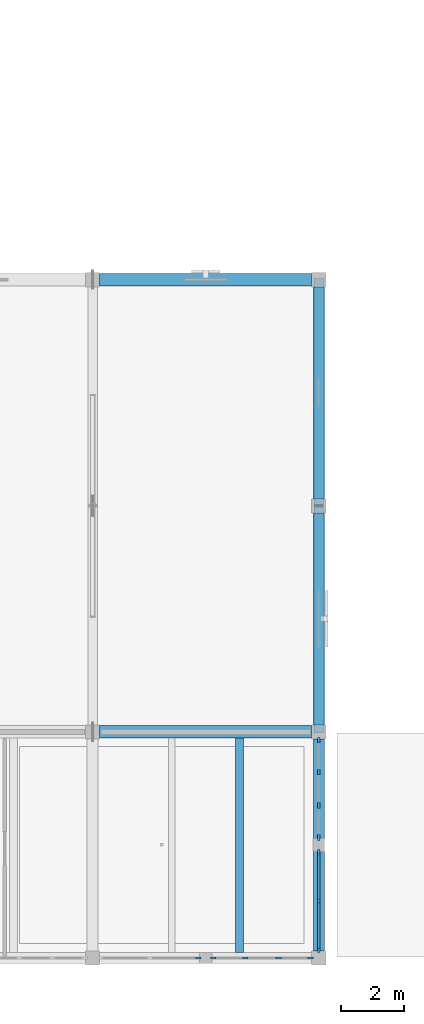
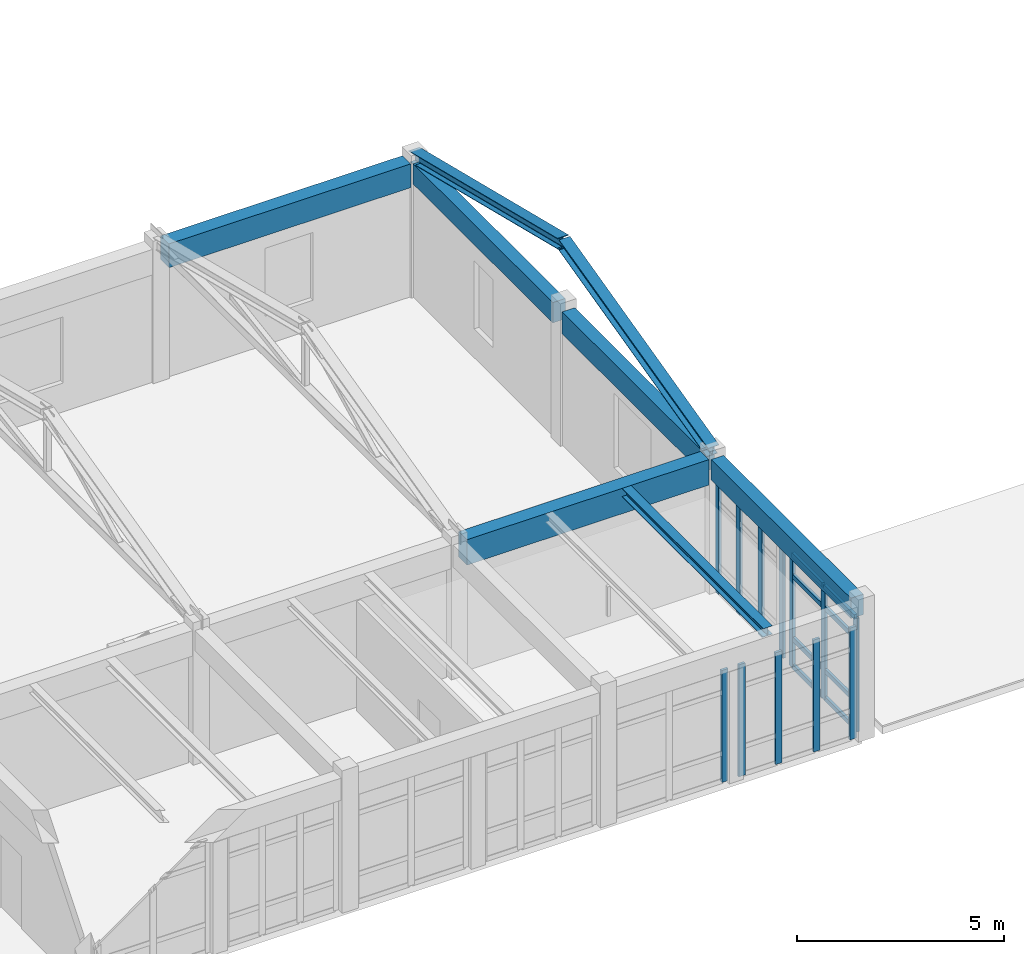
# One storey, part 11 of 136: 22 members, 6 beams, 4 elements without a shape of their own.
"""IFC4 building model written with IfcOpenShell, lengths in metres."""

from ifc_helpers import new_model, si_unit, direction, frame, origin, origin_2d, place, context, subcontext, project, spatial, rectangle, i_section, extrude, material, layer, layer_set, material_profile, profile_set, type_object, element, aggregate, save


model = new_model("IFC4")

# Units and contexts
model_context = context("Model", 3, precision=1e-05, world=origin(), true_north=direction((0.0, 1.0)))
body_context = subcontext(model_context, "Body", "Model", "MODEL_VIEW")
ifc_project = project(units=[si_unit("LENGTHUNIT", "METRE"), si_unit("AREAUNIT", "SQUARE_METRE"), si_unit("VOLUMEUNIT", "CUBIC_METRE"), si_unit("PLANEANGLEUNIT", "RADIAN"), si_unit("MASSUNIT", "GRAM", prefix="KILO")], contexts=[model_context])

# Site, building, storey
site_placement = place(None, origin())
site = spatial("IfcSite", under=ifc_project, at=site_placement, CompositionType="ELEMENT")
building_placement = place(site_placement, origin())
building = spatial("IfcBuilding", under=site, at=building_placement, Name="Koriwan Promenade Central Fire Station", CompositionType="ELEMENT")
storey_placement = place(building_placement, frame((0.0, 0.0, 5.39990234375)))
storey = spatial("IfcBuildingStorey", under=building, at=storey_placement, Name="L01", CompositionType="ELEMENT", Elevation=5.39990234375)

# Beams
ifc_material_1 = material(Name="Concrete C35/45", Category="concrete")
ifc_material_profile_1 = material_profile(ifc_material_1, rectangle(XDim=0.35009765625, YDim=0.60009765625, at=origin_2d()), Name="RC-BM-350x600")
ifc_profile_set_1 = profile_set([ifc_material_profile_1], Name="Concrete C35/45")
beam_type_1 = type_object("IfcBeamType", Name="Beam_RC-BM-350x600", PredefinedType="BEAM", material=ifc_profile_set_1)
for number, where, z_axis, x_axis, name in (
    (1, (36.0, 0.22509765625, 3.66015625), (0.0, 1.0, 0.0), (-1.0, 0.0, 0.0), "V3 L01 girder Y-296"),
    (2, (36.0, 14.625, 3.650146484375), (0.0, 1.0, 0.0), (-1.0, 0.0, 0.0), "V3 L01 girder Y-298"),
):
    element("IfcBeam", number, at=place(storey_placement, frame(where, z_axis=z_axis, x_axis=x_axis)), inside=storey, type_object=beam_type_1, Name=name, PredefinedType="BEAM", context=body_context, shape_type="SweptSolid", body=[
        extrude(rectangle(XDim=0.35009765625, YDim=0.60009765625, at=origin_2d()), origin(), (0.0, 0.0, 1.0), 6.75),
    ])
ifc_material_profile_2 = material_profile(ifc_material_1, rectangle(XDim=0.35009765625, YDim=0.64990234375, at=origin_2d()), Name="RC-BM-350x650")
ifc_profile_set_2 = profile_set([ifc_material_profile_2], Name="Concrete C35/45")
beam_type_2 = type_object("IfcBeamType", Name="Beam_RC-BM-350x650", PredefinedType="BEAM", material=ifc_profile_set_2)
beam_1_placement = place(storey_placement, frame((36.0, 7.425048828125, 3.625), z_axis=(0.0, 1.0, 0.0), x_axis=(-1.0, 0.0, 0.0)))
element("IfcBeam", 3, at=beam_1_placement, inside=storey, type_object=beam_type_2, Name="V3 L01 girder Y-297", PredefinedType="BEAM", context=body_context, shape_type="SweptSolid", body=[
    extrude(rectangle(XDim=0.35009765625, YDim=0.64990234375, at=origin_2d()), origin(), (0.0, 0.0, 1.0), 6.75),
])
ifc_material_profile_3 = material_profile(ifc_material_1, rectangle(XDim=0.39990234375, YDim=0.699951171875, at=origin_2d()), Name="RC-BM-400x700")
ifc_profile_set_3 = profile_set([ifc_material_profile_3], Name="Concrete C35/45")
beam_type_3 = type_object("IfcBeamType", Name="Beam_RC-BM-400x700", PredefinedType="BEAM", material=ifc_profile_set_3)
beam_2_placement = place(storey_placement, frame((29.02490234375, 21.60009765625, 3.60009765625), z_axis=(1.0, 0.0, 0.0), x_axis=(0.0, 1.0, 0.0)))
element("IfcBeam", 4, at=beam_2_placement, inside=storey, type_object=beam_type_3, Name="V3 L01 girder X-284", PredefinedType="BEAM", context=body_context, shape_type="SweptSolid", body=[
    extrude(rectangle(XDim=0.39990234375, YDim=0.699951171875, at=origin_2d()), origin(), (0.0, 0.0, 1.0), 6.75),
])
ifc_material_profile_4 = material_profile(ifc_material_1, rectangle(XDim=0.39990234375, YDim=0.75, at=origin_2d()), Name="RC-BM-400x750")
ifc_profile_set_4 = profile_set([ifc_material_profile_4], Name="Concrete C35/45")
beam_type_4 = type_object("IfcBeamType", Name="Beam_RC-BM-400x750", PredefinedType="BEAM", material=ifc_profile_set_4)
beam_3_placement = place(storey_placement, frame((29.02490234375, 7.199951171875, 3.585205078125), z_axis=(1.0, 0.0, 0.0), x_axis=(0.0, 1.0, 0.0)))
element("IfcBeam", 5, at=beam_3_placement, inside=storey, type_object=beam_type_4, Name="V3 L01 girder X-279", PredefinedType="BEAM", context=body_context, shape_type="SweptSolid", body=[
    extrude(rectangle(XDim=0.39990234375, YDim=0.75, at=origin_2d()), origin(), (0.0, 0.0, 1.0), 6.75),
])

# Curtain wall, members
ifc_material_2 = material(Name="Aluminium EN AW-6063-T6 and low-E glazing", Category="aluminium")
ifc_layer_1 = layer(ifc_material_2, 0.159912109375, Name="Aluminium EN AW-6063-T6 and low-E glazing")
ifc_layer_set_1 = layer_set([ifc_layer_1], Name="Aluminium EN AW-6063-T6 and low-E glazing")
curtain_wall_type_1 = type_object("IfcCurtainWallType", Name="CurtainWall_26_318x335", PredefinedType="USERDEFINED", material=ifc_layer_set_1)
curtain_wall_1_placement = place(storey_placement, origin())
curtain_wall_1 = element("IfcCurtainWall", 6, at=curtain_wall_1_placement, inside=storey, type_object=curtain_wall_type_1, Name="V3 L01 unitised curtain wall 067", ObjectType="UNITISED CURTAIN WALL", PredefinedType="USERDEFINED")
ifc_material_3 = material(Name="Aluminium EN AW-6063-T6", Category="aluminium")
ifc_material_profile_5 = material_profile(ifc_material_3, rectangle(XDim=0.074951171875, YDim=0.179931640625, at=origin_2d()), Name="ALU-MUL-75x180")
ifc_profile_set_5 = profile_set([ifc_material_profile_5], Name="Aluminium EN AW-6063-T6")
member_type_1 = type_object("IfcMemberType", Name="CWMullion_ALU-MUL-75x180", PredefinedType="MULLION", material=ifc_profile_set_5)
member_1_placement = place(storey_placement, frame((36.0, 0.262451171875, 0.0), z_axis=(0.0, 0.0, 1.0), x_axis=(-1.0, 0.0, 0.0)))
member_1 = element("IfcMember", 7, at=member_1_placement, type_object=member_type_1, Name="CW-26 mullion 1", PredefinedType="MULLION", context=body_context, shape_type="SweptSolid", body=[
    extrude(rectangle(XDim=0.074951171875, YDim=0.179931640625, at=origin_2d()), origin(), (0.0, 0.0, 1.0), 3.35009765625),
])
member_2_placement = place(storey_placement, frame((36.0, 1.8125, 0.0), z_axis=(0.0, 0.0, 1.0), x_axis=(-1.0, 0.0, 0.0)))
member_2 = element("IfcMember", 8, at=member_2_placement, type_object=member_type_1, Name="CW-26 mullion 2", PredefinedType="MULLION", context=body_context, shape_type="SweptSolid", body=[
    extrude(rectangle(XDim=0.074951171875, YDim=0.179931640625, at=origin_2d()), origin(), (0.0, 0.0, 1.0), 3.35009765625),
])
member_3_placement = place(storey_placement, frame((36.0, 3.362548828125, 0.0), z_axis=(0.0, 0.0, 1.0), x_axis=(-1.0, 0.0, 0.0)))
member_3 = element("IfcMember", 9, at=member_3_placement, type_object=member_type_1, Name="CW-26 mullion 3", PredefinedType="MULLION", context=body_context, shape_type="SweptSolid", body=[
    extrude(rectangle(XDim=0.074951171875, YDim=0.179931640625, at=origin_2d()), origin(), (0.0, 0.0, 1.0), 3.35009765625),
])

ifc_layer_2 = layer(ifc_material_2, 0.159912109375, Name="Aluminium EN AW-6063-T6 and low-E glazing")
ifc_layer_set_2 = layer_set([ifc_layer_2], Name="Aluminium EN AW-6063-T6 and low-E glazing")
curtain_wall_type_2 = type_object("IfcCurtainWallType", Name="CurtainWall_27_318x335", PredefinedType="USERDEFINED", material=ifc_layer_set_2)
curtain_wall_2_placement = place(storey_placement, origin())
curtain_wall_2 = element("IfcCurtainWall", 10, at=curtain_wall_2_placement, inside=storey, type_object=curtain_wall_type_2, Name="V3 L01 unitised curtain wall 068", ObjectType="UNITISED CURTAIN WALL", PredefinedType="USERDEFINED")
member_4_placement = place(storey_placement, frame((36.0, 3.83740234375, 0.0), z_axis=(0.0, 0.0, 1.0), x_axis=(-1.0, 0.0, 0.0)))
member_4 = element("IfcMember", 11, at=member_4_placement, type_object=member_type_1, Name="CW-27 mullion 1", PredefinedType="MULLION", context=body_context, shape_type="SweptSolid", body=[
    extrude(rectangle(XDim=0.074951171875, YDim=0.179931640625, at=origin_2d()), origin(), (0.0, 0.0, 1.0), 3.35009765625),
])
member_5_placement = place(storey_placement, frame((36.0, 4.8583984375, 0.0), z_axis=(0.0, 0.0, 1.0), x_axis=(-1.0, 0.0, 0.0)))
member_5 = element("IfcMember", 12, at=member_5_placement, type_object=member_type_1, Name="CW-27 mullion 2", PredefinedType="MULLION", context=body_context, shape_type="SweptSolid", body=[
    extrude(rectangle(XDim=0.074951171875, YDim=0.179931640625, at=origin_2d()), origin(), (0.0, 0.0, 1.0), 3.35009765625),
])
member_6_placement = place(storey_placement, frame((36.0, 5.916748046875, 0.0), z_axis=(0.0, 0.0, 1.0), x_axis=(-1.0, 0.0, 0.0)))
member_6 = element("IfcMember", 13, at=member_6_placement, type_object=member_type_1, Name="CW-27 mullion 3", PredefinedType="MULLION", context=body_context, shape_type="SweptSolid", body=[
    extrude(rectangle(XDim=0.074951171875, YDim=0.179931640625, at=origin_2d()), origin(), (0.0, 0.0, 1.0), 3.35009765625),
])
member_7_placement = place(storey_placement, frame((36.0, 6.9375, 0.0), z_axis=(0.0, 0.0, 1.0), x_axis=(-1.0, 0.0, 0.0)))
member_7 = element("IfcMember", 14, at=member_7_placement, type_object=member_type_1, Name="CW-27 mullion 4", PredefinedType="MULLION", context=body_context, shape_type="SweptSolid", body=[
    extrude(rectangle(XDim=0.074951171875, YDim=0.179931640625, at=origin_2d()), origin(), (0.0, 0.0, 1.0), 3.35009765625),
])
aggregate(curtain_wall_2, [member_4, member_5, member_6, member_7])

# Curtain wall, member
ifc_layer_3 = layer(ifc_material_2, 0.159912109375, Name="Aluminium EN AW-6063-T6 and low-E glazing")
ifc_layer_set_3 = layer_set([ifc_layer_3], Name="Aluminium EN AW-6063-T6 and low-E glazing")
curtain_wall_type_3 = type_object("IfcCurtainWallType", Name="CurtainWall_30_318x330", PredefinedType="USERDEFINED", material=ifc_layer_set_3)
curtain_wall_3_placement = place(storey_placement, origin())
curtain_wall_3 = element("IfcCurtainWall", 15, at=curtain_wall_3_placement, inside=storey, type_object=curtain_wall_type_3, Name="V3 L01 unitised curtain wall 079", ObjectType="UNITISED CURTAIN WALL", PredefinedType="USERDEFINED")
member_8_placement = place(storey_placement, frame((32.16259765625, 0.0, 0.0), z_axis=(0.0, 0.0, 1.0), x_axis=(0.0, 1.0, 0.0)))
member_8 = element("IfcMember", 16, at=member_8_placement, type_object=member_type_1, Name="CW-30 mullion 3", PredefinedType="MULLION", context=body_context, shape_type="SweptSolid", body=[
    extrude(rectangle(XDim=0.074951171875, YDim=0.179931640625, at=origin_2d()), origin(), (0.0, 0.0, 1.0), 3.300048828125),
])
aggregate(curtain_wall_3, [member_8])

# Curtain wall, members
ifc_layer_4 = layer(ifc_material_2, 0.159912109375, Name="Aluminium EN AW-6063-T6 and low-E glazing")
ifc_layer_set_4 = layer_set([ifc_layer_4], Name="Aluminium EN AW-6063-T6 and low-E glazing")
curtain_wall_type_4 = type_object("IfcCurtainWallType", Name="CurtainWall_32_317x330", PredefinedType="USERDEFINED", material=ifc_layer_set_4)
curtain_wall_4_placement = place(storey_placement, origin())
curtain_wall_4 = element("IfcCurtainWall", 17, at=curtain_wall_4_placement, inside=storey, type_object=curtain_wall_type_4, Name="V3 L01 unitised curtain wall 080", ObjectType="UNITISED CURTAIN WALL", PredefinedType="USERDEFINED")
member_9_placement = place(storey_placement, frame((32.637451171875, 0.0, 0.0), z_axis=(0.0, 0.0, 1.0), x_axis=(0.0, 1.0, 0.0)))
member_9 = element("IfcMember", 18, at=member_9_placement, type_object=member_type_1, Name="CW-32 mullion 1", PredefinedType="MULLION", context=body_context, shape_type="SweptSolid", body=[
    extrude(rectangle(XDim=0.074951171875, YDim=0.179931640625, at=origin_2d()), origin(), (0.0, 0.0, 1.0), 3.300048828125),
])
member_10_placement = place(storey_placement, frame((33.658447265625, 0.0, 0.0), z_axis=(0.0, 0.0, 1.0), x_axis=(0.0, 1.0, 0.0)))
member_10 = element("IfcMember", 19, at=member_10_placement, type_object=member_type_1, Name="CW-32 mullion 2", PredefinedType="MULLION", context=body_context, shape_type="SweptSolid", body=[
    extrude(rectangle(XDim=0.074951171875, YDim=0.179931640625, at=origin_2d()), origin(), (0.0, 0.0, 1.0), 3.300048828125),
])
member_11_placement = place(storey_placement, frame((34.716552734375, 0.0, 0.0), z_axis=(0.0, 0.0, 1.0), x_axis=(0.0, 1.0, 0.0)))
member_11 = element("IfcMember", 20, at=member_11_placement, type_object=member_type_1, Name="CW-32 mullion 3", PredefinedType="MULLION", context=body_context, shape_type="SweptSolid", body=[
    extrude(rectangle(XDim=0.074951171875, YDim=0.179931640625, at=origin_2d()), origin(), (0.0, 0.0, 1.0), 3.300048828125),
])
member_12_placement = place(storey_placement, frame((35.737548828125, 0.0, 0.0), z_axis=(0.0, 0.0, 1.0), x_axis=(0.0, 1.0, 0.0)))
member_12 = element("IfcMember", 21, at=member_12_placement, type_object=member_type_1, Name="CW-32 mullion 4", PredefinedType="MULLION", context=body_context, shape_type="SweptSolid", body=[
    extrude(rectangle(XDim=0.074951171875, YDim=0.179931640625, at=origin_2d()), origin(), (0.0, 0.0, 1.0), 3.300048828125),
])
aggregate(curtain_wall_4, [member_9, member_10, member_11, member_12])

# Member
ifc_material_profile_6 = material_profile(ifc_material_3, rectangle(XDim=0.074951171875, YDim=0.139892578125, at=origin_2d()), Name="ALU-TRN-75x140")
ifc_profile_set_6 = profile_set([ifc_material_profile_6], Name="Aluminium EN AW-6063-T6")
member_type_2 = type_object("IfcMemberType", Name="CWTransom_ALU-TRN-75x140", PredefinedType="USERDEFINED", material=ifc_profile_set_6)
member_13_placement = place(storey_placement, frame((36.0, 0.300048828125, 0.03759765625), z_axis=(0.0, 1.0, 0.0), x_axis=(-1.0, 0.0, 0.0)))
member_13 = element("IfcMember", 22, at=member_13_placement, type_object=member_type_2, Name="CW-26 transom 1.1", ObjectType="TRANSOM", PredefinedType="USERDEFINED", context=body_context, shape_type="SweptSolid", body=[
    extrude(rectangle(XDim=0.074951171875, YDim=0.139892578125, at=origin_2d()), origin(), (0.0, 0.0, 1.0), 1.474853515625),
])

member_14_placement = place(storey_placement, frame((36.0, 0.300048828125, 0.85009765625), z_axis=(0.0, 1.0, 0.0), x_axis=(-1.0, 0.0, 0.0)))
member_14 = element("IfcMember", 23, at=member_14_placement, type_object=member_type_2, Name="CW-26 transom 1.2", ObjectType="TRANSOM", PredefinedType="USERDEFINED", context=body_context, shape_type="SweptSolid", body=[
    extrude(rectangle(XDim=0.074951171875, YDim=0.139892578125, at=origin_2d()), origin(), (0.0, 0.0, 1.0), 1.474853515625),
])

member_15_placement = place(storey_placement, frame((36.0, 0.300048828125, 2.7001953125), z_axis=(0.0, 1.0, 0.0), x_axis=(-1.0, 0.0, 0.0)))
member_15 = element("IfcMember", 24, at=member_15_placement, type_object=member_type_2, Name="CW-26 transom 1.3", ObjectType="TRANSOM", PredefinedType="USERDEFINED", context=body_context, shape_type="SweptSolid", body=[
    extrude(rectangle(XDim=0.074951171875, YDim=0.139892578125, at=origin_2d()), origin(), (0.0, 0.0, 1.0), 1.474853515625),
])

member_16_placement = place(storey_placement, frame((36.0, 0.300048828125, 3.3125), z_axis=(0.0, 1.0, 0.0), x_axis=(-1.0, 0.0, 0.0)))
member_16 = element("IfcMember", 25, at=member_16_placement, type_object=member_type_2, Name="CW-26 transom 1.4", ObjectType="TRANSOM", PredefinedType="USERDEFINED", context=body_context, shape_type="SweptSolid", body=[
    extrude(rectangle(XDim=0.074951171875, YDim=0.139892578125, at=origin_2d()), origin(), (0.0, 0.0, 1.0), 1.474853515625),
])

member_17_placement = place(storey_placement, frame((36.0, 1.85009765625, 0.03759765625), z_axis=(0.0, 1.0, 0.0), x_axis=(-1.0, 0.0, 0.0)))
member_17 = element("IfcMember", 26, at=member_17_placement, type_object=member_type_2, Name="CW-26 transom 2.1", ObjectType="TRANSOM", PredefinedType="USERDEFINED", context=body_context, shape_type="SweptSolid", body=[
    extrude(rectangle(XDim=0.074951171875, YDim=0.139892578125, at=origin_2d()), origin(), (0.0, 0.0, 1.0), 1.474853515625),
])

member_18_placement = place(storey_placement, frame((36.0, 1.85009765625, 0.85009765625), z_axis=(0.0, 1.0, 0.0), x_axis=(-1.0, 0.0, 0.0)))
member_18 = element("IfcMember", 27, at=member_18_placement, type_object=member_type_2, Name="CW-26 transom 2.2", ObjectType="TRANSOM", PredefinedType="USERDEFINED", context=body_context, shape_type="SweptSolid", body=[
    extrude(rectangle(XDim=0.074951171875, YDim=0.139892578125, at=origin_2d()), origin(), (0.0, 0.0, 1.0), 1.474853515625),
])

member_19_placement = place(storey_placement, frame((36.0, 1.85009765625, 2.7001953125), z_axis=(0.0, 1.0, 0.0), x_axis=(-1.0, 0.0, 0.0)))
member_19 = element("IfcMember", 28, at=member_19_placement, type_object=member_type_2, Name="CW-26 transom 2.3", ObjectType="TRANSOM", PredefinedType="USERDEFINED", context=body_context, shape_type="SweptSolid", body=[
    extrude(rectangle(XDim=0.074951171875, YDim=0.139892578125, at=origin_2d()), origin(), (0.0, 0.0, 1.0), 1.474853515625),
])

member_20_placement = place(storey_placement, frame((36.0, 1.85009765625, 3.3125), z_axis=(0.0, 1.0, 0.0), x_axis=(-1.0, 0.0, 0.0)))
member_20 = element("IfcMember", 29, at=member_20_placement, type_object=member_type_2, Name="CW-26 transom 2.4", ObjectType="TRANSOM", PredefinedType="USERDEFINED", context=body_context, shape_type="SweptSolid", body=[
    extrude(rectangle(XDim=0.074951171875, YDim=0.139892578125, at=origin_2d()), origin(), (0.0, 0.0, 1.0), 1.474853515625),
])

aggregate(curtain_wall_1, [member_1, member_2, member_3, member_13, member_14, member_15, member_16, member_17, member_18, member_19, member_20])

# Members
ifc_material_4 = material(Name="Steel ASTM A992 Grade 50", Category="steel")
ifc_material_profile_7 = material_profile(ifc_material_4, i_section(OverallWidth=0.304931640625, OverallDepth=0.30810546875, WebThickness=0.010009765625, FlangeThickness=0.015380859375, FilletRadius=0.014892578125, at=origin_2d()), Name="W310x97")
ifc_profile_set_7 = profile_set([ifc_material_profile_7], Name="Steel ASTM A992 Grade 50")
member_type_3 = type_object("IfcMemberType", Name="Member_CHORD_W310x97", PredefinedType="CHORD", material=ifc_profile_set_7)
member_21_placement = place(storey_placement, frame((36.0, 7.199951171875, 4.02001953125), z_axis=(0.0, 0.970772373448, 0.240002081137), x_axis=(-1.0, 0.0, 0.0)))
element("IfcMember", 30, at=member_21_placement, inside=storey, type_object=member_type_3, Name="V3 east gable south rafter", PredefinedType="CHORD", context=body_context, shape_type="SweptSolid", body=[
    extrude(i_section(OverallWidth=0.304931640625, OverallDepth=0.30810546875, WebThickness=0.010009765625, FlangeThickness=0.015380859375, FilletRadius=0.014892578125, at=origin_2d()), origin(), (0.0, 0.0, 1.0), 7.416748046875),
])
member_22_placement = place(storey_placement, frame((36.0, 14.39990234375, 5.800048828125), z_axis=(0.0, 0.970774269443, -0.239994411993), x_axis=(-1.0, 0.0, 0.0)))
element("IfcMember", 31, at=member_22_placement, inside=storey, type_object=member_type_3, Name="V3 east gable north rafter", PredefinedType="CHORD", context=body_context, shape_type="SweptSolid", body=[
    extrude(i_section(OverallWidth=0.304931640625, OverallDepth=0.30810546875, WebThickness=0.010009765625, FlangeThickness=0.015380859375, FilletRadius=0.014892578125, at=origin_2d()), origin(), (0.0, 0.0, 1.0), 7.4169921875),
])

# Beam
ifc_material_profile_8 = material_profile(ifc_material_4, i_section(OverallWidth=0.25390625, OverallDepth=0.2529296875, WebThickness=0.008544921875, FlangeThickness=0.01416015625, FilletRadius=0.012939453125, at=origin_2d()), Name="W250x73")
ifc_profile_set_8 = profile_set([ifc_material_profile_8], Name="Steel ASTM A992 Grade 50")
beam_type_5 = type_object("IfcBeamType", Name="SteelBeam_W250x73", PredefinedType="JOIST", material=ifc_profile_set_8)
beam_4_placement = place(storey_placement, frame((33.47998046875, 0.175048828125, 3.83349609375), z_axis=(0.0, 1.0, 0.0), x_axis=(-1.0, 0.0, 0.0)))
element("IfcBeam", 32, at=beam_4_placement, inside=storey, type_object=beam_type_5, Name="V3 L01 secondary joist 308", PredefinedType="JOIST", context=body_context, shape_type="SweptSolid", body=[
    extrude(i_section(OverallWidth=0.25390625, OverallDepth=0.2529296875, WebThickness=0.008544921875, FlangeThickness=0.01416015625, FilletRadius=0.012939453125, at=origin_2d()), origin(), (0.0, 0.0, 1.0), 6.824951171875),
])

save(model, "model.ifc")
